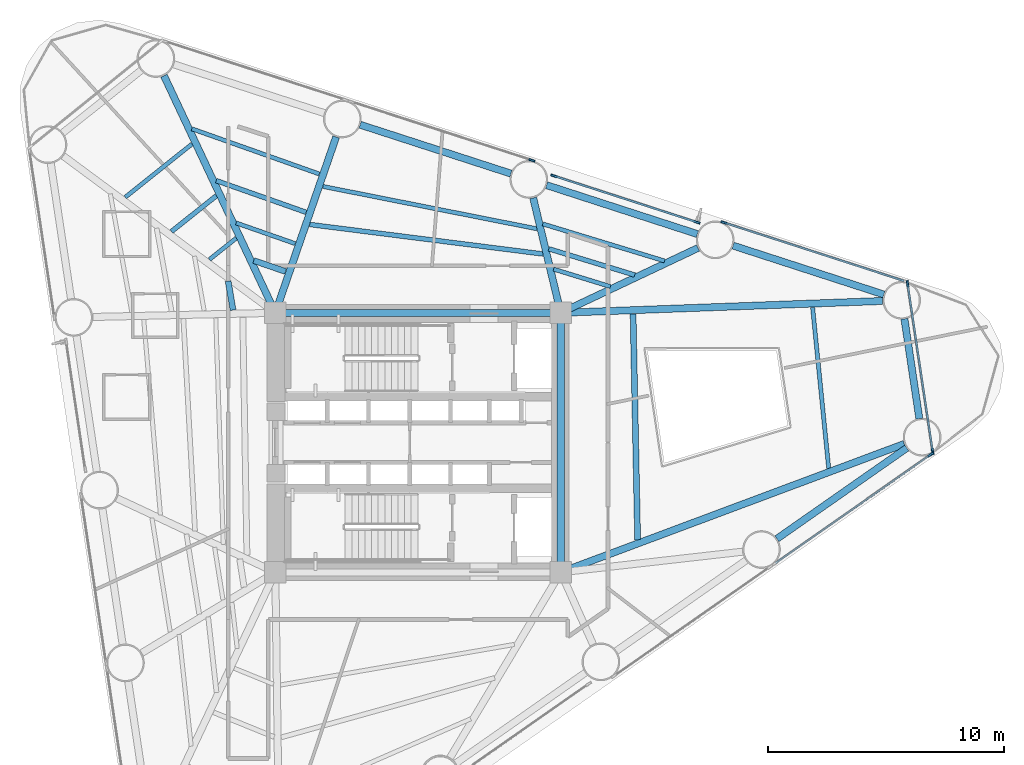
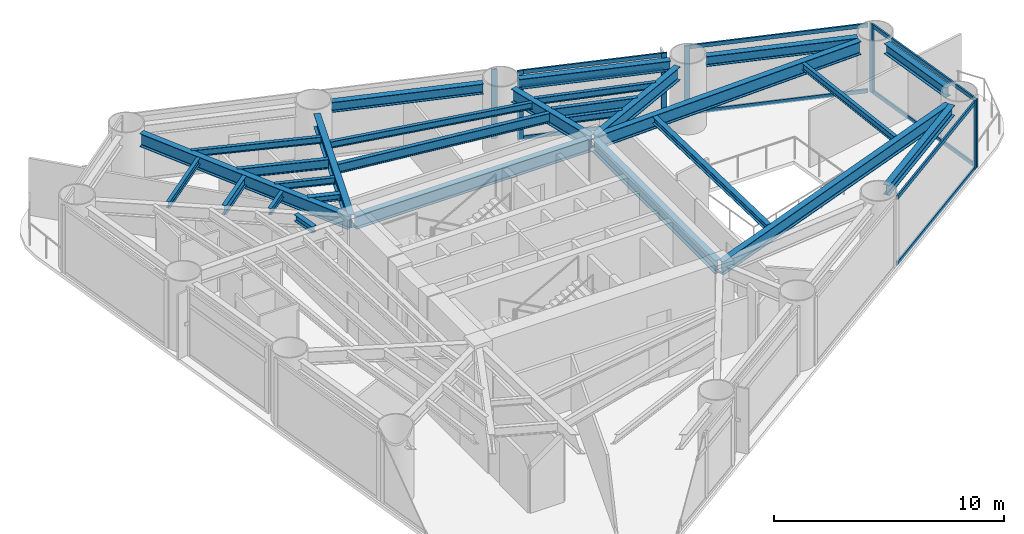
# One storey, part 3 of 9: 28 beams, 16 members, 5 elements without a shape of their own.
"""IFC4 building model written with IfcOpenShell, lengths in metres."""

from ifc_helpers import new_model, si_unit, direction, frame, origin, origin_2d, place, context, subcontext, project, spatial, rectangle, i_section, extrude, source, transform, mapped, material, layer, layer_set, material_profile, profile_set, type_object, element, aggregate, save


model = new_model("IFC4")

# Units and contexts
model_context = context("Model", 3, precision=1e-05, world=origin(), true_north=direction((0.0, 1.0)))
body_context = subcontext(model_context, "Body", "Model", "MODEL_VIEW")
ifc_project = project(units=[si_unit("LENGTHUNIT", "METRE"), si_unit("AREAUNIT", "SQUARE_METRE"), si_unit("VOLUMEUNIT", "CUBIC_METRE"), si_unit("PLANEANGLEUNIT", "RADIAN"), si_unit("MASSUNIT", "GRAM", prefix="KILO")], contexts=[model_context])

# Site, building, storey
site_placement = place(None, origin())
site = spatial("IfcSite", under=ifc_project, at=site_placement, CompositionType="ELEMENT")
building_placement = place(site_placement, origin())
building = spatial("IfcBuilding", under=site, at=building_placement, Name="Yunling Apex Tower", CompositionType="ELEMENT")
storey_placement = place(building_placement, frame((0.0, 0.0, 58.550048828125)))
storey = spatial("IfcBuildingStorey", under=building, at=storey_placement, Name="L15", CompositionType="ELEMENT", Elevation=58.550048828125)

# Beams
ifc_material_1 = material(Name="Steel Q355B", Category="steel")
ifc_material_profile_1 = material_profile(ifc_material_1, i_section(OverallWidth=0.300048828125, OverallDepth=0.699951171875, WebThickness=0.012939453125, FlangeThickness=0.02392578125, FilletRadius=0.02587890625, at=origin_2d()))
ifc_profile_set_1 = profile_set([ifc_material_profile_1], Name="Steel Q355B")
beam_type_1 = type_object("IfcBeamType", Name="BG-PRI-3", PredefinedType="USERDEFINED", material=ifc_profile_set_1)
shared_shape_1 = source(origin(), body_context, "Body", "SweptSolid", [
    extrude(i_section(OverallWidth=0.300048828125, OverallDepth=0.699951171875, WebThickness=0.012939453125, FlangeThickness=0.02392578125, FilletRadius=0.02587890625, at=origin_2d()), origin(), (0.0, 0.0, 1.0), 11.7998046875),
])
beam_1_placement = place(storey_placement, frame((5.89990234375, 5.5, 3.21484375), z_axis=(-1.0, 0.0, 0.0), x_axis=(0.0, -1.0, 0.0)))
element("IfcBeam", 1, at=beam_1_placement, inside=storey, type_object=beam_type_1, Name="L15 Core Ring Tie Beam 3", ObjectType="GIRDER", PredefinedType="USERDEFINED", context=body_context, shape_type="MappedRepresentation", body=[
    mapped(shared_shape_1, transform((0.0, 0.0, 0.0), scale=1.0)),
])
shared_shape_2 = source(origin(), body_context, "Body", "SweptSolid", [
    extrude(i_section(OverallWidth=0.300048828125, OverallDepth=0.699951171875, WebThickness=0.012939453125, FlangeThickness=0.02392578125, FilletRadius=0.02587890625, at=origin_2d()), origin(), (0.0, 0.0, 1.0), 10.7001953125),
])
beam_2_placement = place(storey_placement, frame((6.050048828125, -5.35009765625, 3.21484375), z_axis=(0.0, 1.0, 0.0), x_axis=(-1.0, 0.0, 0.0)))
element("IfcBeam", 2, at=beam_2_placement, inside=storey, type_object=beam_type_1, Name="L15 Core Ring Tie Beam 2", ObjectType="GIRDER", PredefinedType="USERDEFINED", context=body_context, shape_type="MappedRepresentation", body=[
    mapped(shared_shape_2, transform((0.0, 0.0, 0.0), scale=1.0)),
])
ifc_material_profile_2 = material_profile(ifc_material_1, i_section(OverallWidth=0.300048828125, OverallDepth=0.5400390625, WebThickness=0.011962890625, FlangeThickness=0.02001953125, FilletRadius=0.02392578125, at=origin_2d()))
ifc_profile_set_2 = profile_set([ifc_material_profile_2], Name="Steel Q355B")
beam_type_2 = type_object("IfcBeamType", Name="BP-SPN-1", PredefinedType="SPANDREL", material=ifc_profile_set_2)
shared_shape_3 = source(origin(), body_context, "Body", "SweptSolid", [
    extrude(i_section(OverallWidth=0.300048828125, OverallDepth=0.5400390625, WebThickness=0.011962890625, FlangeThickness=0.02001953125, FilletRadius=0.02392578125, at=origin_2d()), origin(), (0.0, 0.0, 1.0), 6.721435546875),
])
for number, where, z_axis, x_axis, name in (
    (3, (15.212158203125, -4.08056640625, 3.294921875), (0.81955772083, 0.572996633697, 0.0), (-0.572996633697, 0.81955772083, 0.0), "L15 Perimeter Spandrel Beam 4"),
    (4, (19.748291015625, 6.277099609375, 3.294921875), (-0.95126256707, 0.308382114415, 0.0), (-0.308382114415, -0.95126256707, 0.0), "L15 Perimeter Spandrel Beam 6"),
    (5, (3.939453125, 11.401611328125, 3.294921875), (-0.95126256707, 0.308382114415, 0.0), (-0.308382114415, -0.95126256707, 0.0), "L15 Perimeter Spandrel Beam 8"),
):
    element("IfcBeam", number, at=place(storey_placement, frame(where, z_axis=z_axis, x_axis=x_axis)), inside=storey, type_object=beam_type_2, Name=name, PredefinedType="SPANDREL", context=body_context, shape_type="MappedRepresentation", body=[
        mapped(shared_shape_3, transform((0.0, 0.0, 0.0), scale=1.0)),
    ])
shared_shape_4 = source(origin(), body_context, "Body", "SweptSolid", [
    extrude(i_section(OverallWidth=0.300048828125, OverallDepth=0.5400390625, WebThickness=0.011962890625, FlangeThickness=0.02001953125, FilletRadius=0.02392578125, at=origin_2d()), origin(), (0.0, 0.0, 1.0), 4.283203125),
])
beam_3_placement = place(storey_placement, frame((21.25390625, 1.010986328125, 3.294921875), z_axis=(-0.147802479388, 0.989016899293, 0.0), x_axis=(-0.989016899293, -0.147802479388, 0.0)))
element("IfcBeam", 6, at=beam_3_placement, inside=storey, type_object=beam_type_2, Name="L15 Perimeter Spandrel Beam 5", PredefinedType="SPANDREL", context=body_context, shape_type="MappedRepresentation", body=[
    mapped(shared_shape_4, transform((0.0, 0.0, 0.0), scale=1.0)),
])
shared_shape_5 = source(origin(), body_context, "Body", "SweptSolid", [
    extrude(i_section(OverallWidth=0.300048828125, OverallDepth=0.5400390625, WebThickness=0.011962890625, FlangeThickness=0.02001953125, FilletRadius=0.02392578125, at=origin_2d()), origin(), (0.0, 0.0, 1.0), 6.72119140625),
])
beam_4_placement = place(storey_placement, frame((11.84375, 8.83935546875, 3.294921875), z_axis=(-0.951259112593, 0.308392770197, 0.0), x_axis=(-0.308392770197, -0.951259112593, 0.0)))
element("IfcBeam", 7, at=beam_4_placement, inside=storey, type_object=beam_type_2, Name="L15 Perimeter Spandrel Beam 7", PredefinedType="SPANDREL", context=body_context, shape_type="MappedRepresentation", body=[
    mapped(shared_shape_5, transform((0.0, 0.0, 0.0), scale=1.0)),
])
shared_shape_6 = source(origin(), body_context, "Body", "SweptSolid", [
    extrude(i_section(OverallWidth=0.300048828125, OverallDepth=0.699951171875, WebThickness=0.012939453125, FlangeThickness=0.02392578125, FilletRadius=0.02587890625, at=origin_2d()), origin(), (0.0, 0.0, 1.0), 15.46826171875),
])
beam_5_placement = place(storey_placement, frame((20.614501953125, -0.05712890625, 3.21484375), z_axis=(-0.936727481876, -0.350059458804, 0.0), x_axis=(0.350059458804, -0.936727481876, 0.0)))
element("IfcBeam", 8, at=beam_5_placement, inside=storey, type_object=beam_type_1, Name="L15 Radial Primary Girder R05", ObjectType="GIRDER", PredefinedType="USERDEFINED", context=body_context, shape_type="MappedRepresentation", body=[
    mapped(shared_shape_6, transform((0.0, 0.0, 0.0), scale=1.0)),
])
shared_shape_7 = source(origin(), body_context, "Body", "SweptSolid", [
    extrude(i_section(OverallWidth=0.300048828125, OverallDepth=0.699951171875, WebThickness=0.012939453125, FlangeThickness=0.02392578125, FilletRadius=0.02587890625, at=origin_2d()), origin(), (0.0, 0.0, 1.0), 13.575439453125),
])
beam_6_placement = place(storey_placement, frame((19.696044921875, 6.002685546875, 3.21484375), z_axis=(-0.99932215556, -0.036813440575, 0.0), x_axis=(0.036813440575, -0.99932215556, 0.0)))
element("IfcBeam", 9, at=beam_6_placement, inside=storey, type_object=beam_type_1, Name="L15 Radial Primary Girder R06", ObjectType="GIRDER", PredefinedType="USERDEFINED", context=body_context, shape_type="MappedRepresentation", body=[
    mapped(shared_shape_7, transform((0.0, 0.0, 0.0), scale=1.0)),
])
shared_shape_8 = source(origin(), body_context, "Body", "SweptSolid", [
    extrude(i_section(OverallWidth=0.300048828125, OverallDepth=0.699951171875, WebThickness=0.012939453125, FlangeThickness=0.02392578125, FilletRadius=0.02587890625, at=origin_2d()), origin(), (0.0, 0.0, 1.0), 6.35546875),
])
beam_7_placement = place(storey_placement, frame((11.86865234375, 8.24951171875, 3.21484375), z_axis=(-0.90414025985, -0.427235755196, 0.0), x_axis=(0.427235755196, -0.90414025985, 0.0)))
element("IfcBeam", 10, at=beam_7_placement, inside=storey, type_object=beam_type_1, Name="L15 Radial Primary Girder R07", ObjectType="GIRDER", PredefinedType="USERDEFINED", context=body_context, shape_type="MappedRepresentation", body=[
    mapped(shared_shape_8, transform((0.0, 0.0, 0.0), scale=1.0)),
])
shared_shape_9 = source(origin(), body_context, "Body", "SweptSolid", [
    extrude(i_section(OverallWidth=0.300048828125, OverallDepth=0.699951171875, WebThickness=0.012939453125, FlangeThickness=0.02392578125, FilletRadius=0.02587890625, at=origin_2d()), origin(), (0.0, 0.0, 1.0), 4.928955078125),
])
beam_8_placement = place(storey_placement, frame((4.883056640625, 10.37109375, 3.21484375), z_axis=(0.233002001977, -0.972476255276, 0.0), x_axis=(0.972476255276, 0.233002001977, 0.0)))
element("IfcBeam", 11, at=beam_8_placement, inside=storey, type_object=beam_type_1, Name="L15 Radial Primary Girder R08", ObjectType="GIRDER", PredefinedType="USERDEFINED", context=body_context, shape_type="MappedRepresentation", body=[
    mapped(shared_shape_9, transform((0.0, 0.0, 0.0), scale=1.0)),
])
shared_shape_10 = source(origin(), body_context, "Body", "SweptSolid", [
    extrude(i_section(OverallWidth=0.300048828125, OverallDepth=0.699951171875, WebThickness=0.012939453125, FlangeThickness=0.02392578125, FilletRadius=0.02587890625, at=origin_2d()), origin(), (0.0, 0.0, 1.0), 7.807861328125),
])
beam_9_placement = place(storey_placement, frame((-3.473388671875, 12.955322265625, 3.21484375), z_axis=(-0.326658398033, -0.945142471268, 0.0), x_axis=(0.945142471268, -0.326658398033, 0.0)))
element("IfcBeam", 12, at=beam_9_placement, inside=storey, type_object=beam_type_1, Name="L15 Radial Primary Girder R09", ObjectType="GIRDER", PredefinedType="USERDEFINED", context=body_context, shape_type="MappedRepresentation", body=[
    mapped(shared_shape_10, transform((0.0, 0.0, 0.0), scale=1.0)),
])
shared_shape_11 = source(origin(), body_context, "Body", "SweptSolid", [
    extrude(i_section(OverallWidth=0.300048828125, OverallDepth=0.699951171875, WebThickness=0.012939453125, FlangeThickness=0.02392578125, FilletRadius=0.02587890625, at=origin_2d()), origin(), (0.0, 0.0, 1.0), 11.0234375),
])
beam_10_placement = place(storey_placement, frame((-10.7705078125, 15.550048828125, 3.21484375), z_axis=(0.425144169149, -0.905125646216, 0.0), x_axis=(0.905125646216, 0.425144169149, 0.0)))
element("IfcBeam", 13, at=beam_10_placement, inside=storey, type_object=beam_type_1, Name="L15 Radial Primary Girder R10", ObjectType="GIRDER", PredefinedType="USERDEFINED", context=body_context, shape_type="MappedRepresentation", body=[
    mapped(shared_shape_11, transform((0.0, 0.0, 0.0), scale=1.0)),
])
ifc_material_profile_3 = material_profile(ifc_material_1, i_section(OverallWidth=0.175048828125, OverallDepth=0.35009765625, WebThickness=0.007080078125, FlangeThickness=0.010986328125, FilletRadius=0.013916015625, at=origin_2d()))
ifc_profile_set_3 = profile_set([ifc_material_profile_3], Name="Steel Q355B")
beam_type_3 = type_object("IfcBeamType", Name="BJ-JST-1", PredefinedType="JOIST", material=ifc_profile_set_3)
shared_shape_12 = source(origin(), body_context, "Body", "SweptSolid", [
    extrude(i_section(OverallWidth=0.175048828125, OverallDepth=0.35009765625, WebThickness=0.007080078125, FlangeThickness=0.010986328125, FilletRadius=0.013916015625, at=origin_2d()), origin(), (0.0, 0.0, 1.0), 6.856689453125),
])
beam_11_placement = place(storey_placement, frame((17.410888671875, -1.089111328125, 3.389892578125), z_axis=(-0.099697612772, 0.995017781754, 0.0), x_axis=(-0.995017781754, -0.099697612772, 0.0)))
element("IfcBeam", 14, at=beam_11_placement, inside=storey, type_object=beam_type_3, Name="L15 Composite Floor Joist BJ1-5", PredefinedType="JOIST", context=body_context, shape_type="MappedRepresentation", body=[
    mapped(shared_shape_12, transform((0.0, 0.0, 0.0), scale=1.0)),
])
ifc_material_profile_4 = material_profile(ifc_material_1, i_section(OverallWidth=0.25, OverallDepth=0.340087890625, WebThickness=0.009033203125, FlangeThickness=0.013916015625, FilletRadius=0.01806640625, at=origin_2d()))
ifc_profile_set_4 = profile_set([ifc_material_profile_4], Name="Steel Q355B")
beam_type_4 = type_object("IfcBeamType", Name="BJ-JST-2", PredefinedType="JOIST", material=ifc_profile_set_4)
shared_shape_13 = source(origin(), body_context, "Body", "SweptSolid", [
    extrude(i_section(OverallWidth=0.25, OverallDepth=0.340087890625, WebThickness=0.009033203125, FlangeThickness=0.013916015625, FilletRadius=0.01806640625, at=origin_2d()), origin(), (0.0, 0.0, 1.0), 9.57568359375),
])
beam_12_placement = place(storey_placement, frame((9.309326171875, -4.120849609375, 3.39501953125), z_axis=(-0.020014350968, 0.999799692816, 0.0), x_axis=(-0.999799692816, -0.020014350968, 0.0)))
element("IfcBeam", 15, at=beam_12_placement, inside=storey, type_object=beam_type_4, Name="L15 Composite Floor Joist BJ2-5", PredefinedType="JOIST", context=body_context, shape_type="MappedRepresentation", body=[
    mapped(shared_shape_13, transform((0.0, 0.0, 0.0), scale=1.0)),
])
ifc_material_profile_5 = material_profile(ifc_material_1, i_section(OverallWidth=0.199951171875, OverallDepth=0.5, WebThickness=0.010009765625, FlangeThickness=0.01611328125, FilletRadius=0.02001953125, at=origin_2d()))
ifc_profile_set_5 = profile_set([ifc_material_profile_5], Name="Steel Q355B")
beam_type_5 = type_object("IfcBeamType", Name="BS-SEC-2", PredefinedType="BEAM", material=ifc_profile_set_5)
shared_shape_14 = source(origin(), body_context, "Body", "SweptSolid", [
    extrude(i_section(OverallWidth=0.199951171875, OverallDepth=0.5, WebThickness=0.010009765625, FlangeThickness=0.01611328125, FilletRadius=0.02001953125, at=origin_2d()), origin(), (0.0, 0.0, 1.0), 3.812255859375),
])
beam_13_placement = place(storey_placement, frame((9.187255859375, 7.1015625, 3.31494140625), z_axis=(-0.956390339833, 0.292091625819, 0.0), x_axis=(-0.292091625819, -0.956390339833, 0.0)))
element("IfcBeam", 16, at=beam_13_placement, inside=storey, type_object=beam_type_5, Name="L15 Composite Floor Beam BS-7", PredefinedType="BEAM", context=body_context, shape_type="MappedRepresentation", body=[
    mapped(shared_shape_14, transform((0.0, 0.0, 0.0), scale=1.0)),
])
shared_shape_15 = source(origin(), body_context, "Body", "SweptSolid", [
    extrude(i_section(OverallWidth=0.175048828125, OverallDepth=0.35009765625, WebThickness=0.007080078125, FlangeThickness=0.010986328125, FilletRadius=0.013916015625, at=origin_2d()), origin(), (0.0, 0.0, 1.0), 5.396484375),
])
beam_14_placement = place(storey_placement, frame((10.451416015625, 7.698486328125, 3.389892578125), z_axis=(-0.95665799, 0.291213822077, 0.0), x_axis=(-0.291213822077, -0.95665799, 0.0)))
element("IfcBeam", 17, at=beam_14_placement, inside=storey, type_object=beam_type_3, Name="L15 Composite Floor Joist BJ1-7", PredefinedType="JOIST", context=body_context, shape_type="MappedRepresentation", body=[
    mapped(shared_shape_15, transform((0.0, 0.0, 0.0), scale=1.0)),
])
shared_shape_16 = source(origin(), body_context, "Body", "SweptSolid", [
    extrude(i_section(OverallWidth=0.175048828125, OverallDepth=0.35009765625, WebThickness=0.007080078125, FlangeThickness=0.010986328125, FilletRadius=0.013916015625, at=origin_2d()), origin(), (0.0, 0.0, 1.0), 2.516357421875),
])
beam_15_placement = place(storey_placement, frame((8.153076171875, 6.613037109375, 3.389892578125), z_axis=(-0.955871264671, 0.293785849515, 0.0), x_axis=(-0.293785849515, -0.955871264671, 0.0)))
element("IfcBeam", 18, at=beam_15_placement, inside=storey, type_object=beam_type_3, Name="L15 Composite Floor Joist BJ3-7", PredefinedType="JOIST", context=body_context, shape_type="MappedRepresentation", body=[
    mapped(shared_shape_16, transform((0.0, 0.0, 0.0), scale=1.0)),
])
shared_shape_17 = source(origin(), body_context, "Body", "SweptSolid", [
    extrude(i_section(OverallWidth=0.199951171875, OverallDepth=0.5, WebThickness=0.010009765625, FlangeThickness=0.01611328125, FilletRadius=0.02001953125, at=origin_2d()), origin(), (0.0, 0.0, 1.0), 9.967529296875),
])
beam_16_placement = place(storey_placement, frame((5.298583984375, 7.994384765625, 3.31494140625), z_axis=(-0.992092895005, 0.125505727681, 0.0), x_axis=(-0.125505727681, -0.992092895005, 0.0)))
element("IfcBeam", 19, at=beam_16_placement, inside=storey, type_object=beam_type_5, Name="L15 Composite Floor Beam BS-8", PredefinedType="BEAM", context=body_context, shape_type="MappedRepresentation", body=[
    mapped(shared_shape_17, transform((0.0, 0.0, 0.0), scale=1.0)),
])
shared_shape_18 = source(origin(), body_context, "Body", "SweptSolid", [
    extrude(i_section(OverallWidth=0.175048828125, OverallDepth=0.35009765625, WebThickness=0.007080078125, FlangeThickness=0.010986328125, FilletRadius=0.013916015625, at=origin_2d()), origin(), (0.0, 0.0, 1.0), 9.254638671875),
])
beam_17_placement = place(storey_placement, frame((5.047607421875, 9.06005859375, 3.389892578125), z_axis=(-0.98094926536, 0.194264095472, 0.0), x_axis=(-0.194264095472, -0.98094926536, 0.0)))
element("IfcBeam", 20, at=beam_17_placement, inside=storey, type_object=beam_type_3, Name="L15 Composite Floor Joist BJ1-8", PredefinedType="JOIST", context=body_context, shape_type="MappedRepresentation", body=[
    mapped(shared_shape_18, transform((0.0, 0.0, 0.0), scale=1.0)),
])
shared_shape_19 = source(origin(), body_context, "Body", "SweptSolid", [
    extrude(i_section(OverallWidth=0.199951171875, OverallDepth=0.5, WebThickness=0.010009765625, FlangeThickness=0.01611328125, FilletRadius=0.02001953125, at=origin_2d()), origin(), (0.0, 0.0, 1.0), 4.04150390625),
])
beam_18_placement = place(storey_placement, frame((-4.74658203125, 9.761474609375, 3.31494140625), z_axis=(-0.942979180686, 0.332851715924, 0.0), x_axis=(-0.332851715924, -0.942979180686, 0.0)))
element("IfcBeam", 21, at=beam_18_placement, inside=storey, type_object=beam_type_5, Name="L15 Composite Floor Beam BS-9", PredefinedType="BEAM", context=body_context, shape_type="MappedRepresentation", body=[
    mapped(shared_shape_19, transform((0.0, 0.0, 0.0), scale=1.0)),
])
shared_shape_20 = source(origin(), body_context, "Body", "SweptSolid", [
    extrude(i_section(OverallWidth=0.175048828125, OverallDepth=0.35009765625, WebThickness=0.007080078125, FlangeThickness=0.010986328125, FilletRadius=0.013916015625, at=origin_2d()), origin(), (0.0, 0.0, 1.0), 5.733154296875),
])
beam_19_placement = place(storey_placement, frame((-4.185302734375, 11.38525390625, 3.389892578125), z_axis=(-0.942485311423, 0.334247569553, 0.0), x_axis=(-0.334247569553, -0.942485311423, 0.0)))
element("IfcBeam", 22, at=beam_19_placement, inside=storey, type_object=beam_type_3, Name="L15 Composite Floor Joist BJ1-9", PredefinedType="JOIST", context=body_context, shape_type="MappedRepresentation", body=[
    mapped(shared_shape_20, transform((0.0, 0.0, 0.0), scale=1.0)),
])
shared_shape_21 = source(origin(), body_context, "Body", "SweptSolid", [
    extrude(i_section(OverallWidth=0.175048828125, OverallDepth=0.35009765625, WebThickness=0.007080078125, FlangeThickness=0.010986328125, FilletRadius=0.013916015625, at=origin_2d()), origin(), (0.0, 0.0, 1.0), 2.657470703125),
])
beam_20_placement = place(storey_placement, frame((-5.205810546875, 8.432861328125, 3.389892578125), z_axis=(-0.943816811427, 0.330469100623, 0.0), x_axis=(-0.330469100623, -0.943816811427, 0.0)))
element("IfcBeam", 23, at=beam_20_placement, inside=storey, type_object=beam_type_3, Name="L15 Composite Floor Joist BJ3-9", PredefinedType="JOIST", context=body_context, shape_type="MappedRepresentation", body=[
    mapped(shared_shape_21, transform((0.0, 0.0, 0.0), scale=1.0)),
])
shared_shape_22 = source(origin(), body_context, "Body", "SweptSolid", [
    extrude(i_section(OverallWidth=0.25, OverallDepth=0.340087890625, WebThickness=0.009033203125, FlangeThickness=0.013916015625, FilletRadius=0.01806640625, at=origin_2d()), origin(), (0.0, 0.0, 1.0), 1.42724609375),
])
beam_21_placement = place(storey_placement, frame((-5.614013671875, 7.251220703125, 3.39501953125), z_axis=(-0.94564715029, 0.325194506639, 0.0), x_axis=(-0.325194506639, -0.94564715029, 0.0)))
element("IfcBeam", 24, at=beam_21_placement, inside=storey, type_object=beam_type_4, Name="L15 Composite Floor Joist BJ2-9", PredefinedType="JOIST", context=body_context, shape_type="MappedRepresentation", body=[
    mapped(shared_shape_22, transform((0.0, 0.0, 0.0), scale=1.0)),
])
shared_shape_23 = source(origin(), body_context, "Body", "SweptSolid", [
    extrude(i_section(OverallWidth=0.199951171875, OverallDepth=0.5, WebThickness=0.010009765625, FlangeThickness=0.01611328125, FilletRadius=0.02001953125, at=origin_2d()), origin(), (0.0, 0.0, 1.0), 2.4287109375),
])
beam_22_placement = place(storey_placement, frame((-8.552490234375, 10.46142578125, 3.31494140625), z_axis=(-0.782093234133, -0.62316143424, 0.0), x_axis=(0.62316143424, -0.782093234133, 0.0)))
element("IfcBeam", 25, at=beam_22_placement, inside=storey, type_object=beam_type_5, Name="L15 Composite Floor Beam BS-10", PredefinedType="BEAM", context=body_context, shape_type="MappedRepresentation", body=[
    mapped(shared_shape_23, transform((0.0, 0.0, 0.0), scale=1.0)),
])
shared_shape_24 = source(origin(), body_context, "Body", "SweptSolid", [
    extrude(i_section(OverallWidth=0.175048828125, OverallDepth=0.35009765625, WebThickness=0.007080078125, FlangeThickness=0.010986328125, FilletRadius=0.013916015625, at=origin_2d()), origin(), (0.0, 0.0, 1.0), 3.62060546875),
])
beam_23_placement = place(storey_placement, frame((-9.58349609375, 12.656494140625, 3.389892578125), z_axis=(-0.782123735438, -0.623123151925, 0.0), x_axis=(0.623123151925, -0.782123735438, 0.0)))
element("IfcBeam", 26, at=beam_23_placement, inside=storey, type_object=beam_type_3, Name="L15 Composite Floor Joist BJ1-10", PredefinedType="JOIST", context=body_context, shape_type="MappedRepresentation", body=[
    mapped(shared_shape_24, transform((0.0, 0.0, 0.0), scale=1.0)),
])
shared_shape_25 = source(origin(), body_context, "Body", "SweptSolid", [
    extrude(i_section(OverallWidth=0.175048828125, OverallDepth=0.35009765625, WebThickness=0.007080078125, FlangeThickness=0.010986328125, FilletRadius=0.013916015625, at=origin_2d()), origin(), (0.0, 0.0, 1.0), 1.453369140625),
])
beam_24_placement = place(storey_placement, frame((-7.708740234375, 8.66552734375, 3.389892578125), z_axis=(-0.78201477261, -0.62325989396, 0.0), x_axis=(0.62325989396, -0.78201477261, 0.0)))
element("IfcBeam", 27, at=beam_24_placement, inside=storey, type_object=beam_type_3, Name="L15 Composite Floor Joist BJ3-10", PredefinedType="JOIST", context=body_context, shape_type="MappedRepresentation", body=[
    mapped(shared_shape_25, transform((0.0, 0.0, 0.0), scale=1.0)),
])
shared_shape_26 = source(origin(), body_context, "Body", "SweptSolid", [
    extrude(i_section(OverallWidth=0.25, OverallDepth=0.340087890625, WebThickness=0.009033203125, FlangeThickness=0.013916015625, FilletRadius=0.01806640625, at=origin_2d()), origin(), (0.0, 0.0, 1.0), 1.242431640625),
])
beam_25_placement = place(storey_placement, frame((-8.05078125, 6.84228515625, 3.39501953125), z_axis=(0.168412893697, -0.985716540004, 0.0), x_axis=(0.985716540004, 0.168412893697, 0.0)))
element("IfcBeam", 28, at=beam_25_placement, inside=storey, type_object=beam_type_4, Name="L15 Composite Floor Joist BJ2-11", PredefinedType="JOIST", context=body_context, shape_type="MappedRepresentation", body=[
    mapped(shared_shape_26, transform((0.0, 0.0, 0.0), scale=1.0)),
])

# Curtain wall, member
ifc_material_2 = material(Name="Bronze anodised aluminium", Category="aluminium")
ifc_layer = layer(ifc_material_2, 0.260009765625)
ifc_layer_set = layer_set([ifc_layer], Name="Bronze anodised aluminium")
curtain_wall_type = type_object("IfcCurtainWallType", Name="CW-SYS-2", PredefinedType="NOTDEFINED", material=ifc_layer_set)
curtain_wall_1_placement = place(storey_placement, origin())
curtain_wall_1 = element("IfcCurtainWall", 29, at=curtain_wall_1_placement, inside=storey, type_object=curtain_wall_type, Name="CW-L15-F1-B4", PredefinedType="NOTDEFINED")
ifc_material_profile_6 = material_profile(ifc_material_2, rectangle(XDim=0.0849609375, YDim=0.260009765625, at=origin_2d()))
ifc_profile_set_6 = profile_set([ifc_material_profile_6], Name="Bronze anodised aluminium")
member_type_1 = type_object("IfcMemberType", Name="CW-MUL-2", PredefinedType="MULLION", material=ifc_profile_set_6)
shared_shape_27 = source(origin(), body_context, "Body", "SweptSolid", [
    extrude(rectangle(XDim=0.0849609375, YDim=0.260009765625, at=origin_2d()), origin(), (0.0, 0.0, 1.0), 3.6650390625),
])
member_1_placement = place(storey_placement, frame((21.735107421875, -0.50830078125, -0.050048828125), z_axis=(0.0, 0.0, 1.0), x_axis=(-0.573004358875, 0.819552319691, 0.0)))
member_1 = element("IfcMember", 30, at=member_1_placement, type_object=member_type_1, Name="CW-SYS-2 mullion 2", PredefinedType="MULLION", context=body_context, shape_type="MappedRepresentation", body=[
    mapped(shared_shape_27, transform((0.0, 0.0, 0.0), scale=1.0)),
])

# Curtain wall, members
curtain_wall_2_placement = place(storey_placement, origin())
curtain_wall_2 = element("IfcCurtainWall", 31, at=curtain_wall_2_placement, inside=storey, type_object=curtain_wall_type, Name="CW-L15-CRN1", PredefinedType="NOTDEFINED")
member_2_placement = place(storey_placement, frame((21.817626953125, -0.379638671875, -0.050048828125), z_axis=(0.0, 0.0, 1.0), x_axis=(-0.989017551472, -0.147798115278, 0.0)))
member_2 = element("IfcMember", 32, at=member_2_placement, type_object=member_type_1, Name="CW-SYS-2 mullion 1", PredefinedType="MULLION", context=body_context, shape_type="MappedRepresentation", body=[
    mapped(shared_shape_27, transform((0.0, 0.0, 0.0), scale=1.0)),
])
member_3_placement = place(storey_placement, frame((20.75341796875, 6.741943359375, -0.050048828125), z_axis=(0.0, 0.0, 1.0), x_axis=(-0.989017551472, -0.147798115278, 0.0)))
member_3 = element("IfcMember", 33, at=member_3_placement, type_object=member_type_1, Name="CW-SYS-2 mullion 2", PredefinedType="MULLION", context=body_context, shape_type="MappedRepresentation", body=[
    mapped(shared_shape_27, transform((0.0, 0.0, 0.0), scale=1.0)),
])

# Curtain wall, member
curtain_wall_3_placement = place(storey_placement, origin())
curtain_wall_3 = element("IfcCurtainWall", 34, at=curtain_wall_3_placement, inside=storey, type_object=curtain_wall_type, Name="CW-L15-F2-B1", PredefinedType="NOTDEFINED")
member_4_placement = place(storey_placement, frame((12.96533203125, 9.327392578125, -0.050048828125), z_axis=(0.0, 0.0, 1.0), x_axis=(-0.30835735341, -0.951270593784, 0.0)))
member_4 = element("IfcMember", 35, at=member_4_placement, type_object=member_type_1, Name="CW-SYS-2 mullion 2", PredefinedType="MULLION", context=body_context, shape_type="MappedRepresentation", body=[
    mapped(shared_shape_27, transform((0.0, 0.0, 0.0), scale=1.0)),
])

# Curtain wall, members
curtain_wall_4_placement = place(storey_placement, origin())
curtain_wall_4 = element("IfcCurtainWall", 36, at=curtain_wall_4_placement, inside=storey, type_object=curtain_wall_type, Name="CW-L15-F2-B2", PredefinedType="NOTDEFINED")
member_5_placement = place(storey_placement, frame((11.828369140625, 9.338623046875, -0.050048828125), z_axis=(0.0, 0.0, 1.0), x_axis=(-0.308351975608, -0.951272336999, 0.0)))
member_5 = element("IfcMember", 37, at=member_5_placement, type_object=member_type_1, Name="CW-SYS-2 mullion 1", PredefinedType="MULLION", context=body_context, shape_type="MappedRepresentation", body=[
    mapped(shared_shape_27, transform((0.0, 0.0, 0.0), scale=1.0)),
])
member_6_placement = place(storey_placement, frame((5.75537109375, 11.30712890625, -0.050048828125), z_axis=(0.0, 0.0, 1.0), x_axis=(-0.308351975608, -0.951272336999, 0.0)))
member_6 = element("IfcMember", 38, at=member_6_placement, type_object=member_type_1, Name="CW-SYS-2 mullion 2", PredefinedType="MULLION", context=body_context, shape_type="MappedRepresentation", body=[
    mapped(shared_shape_27, transform((0.0, 0.0, 0.0), scale=1.0)),
])

# Curtain wall, member
curtain_wall_5_placement = place(storey_placement, origin())
curtain_wall_5 = element("IfcCurtainWall", 39, at=curtain_wall_5_placement, inside=storey, type_object=curtain_wall_type, Name="CW-L15-F2-B3", PredefinedType="NOTDEFINED")
member_7_placement = place(storey_placement, frame((4.827880859375, 11.965087890625, -0.050048828125), z_axis=(0.0, 0.0, 1.0), x_axis=(-0.308368457544, -0.951266994272, 0.0)))
member_7 = element("IfcMember", 40, at=member_7_placement, type_object=member_type_1, Name="CW-SYS-2 mullion 1", PredefinedType="MULLION", context=body_context, shape_type="MappedRepresentation", body=[
    mapped(shared_shape_27, transform((0.0, 0.0, 0.0), scale=1.0)),
])
aggregate(curtain_wall_5, [member_7])

# Member
ifc_material_profile_7 = material_profile(ifc_material_2, rectangle(XDim=0.0849609375, YDim=0.199951171875, at=origin_2d()))
ifc_profile_set_7 = profile_set([ifc_material_profile_7], Name="Bronze anodised aluminium")
member_type_2 = type_object("IfcMemberType", Name="CW-TRN-2", PredefinedType="USERDEFINED", material=ifc_profile_set_7)
shared_shape_28 = source(origin(), body_context, "Body", "SweptSolid", [
    extrude(rectangle(XDim=0.0849609375, YDim=0.199951171875, at=origin_2d()), origin(), (0.0, 0.0, 1.0), 6.3076171875),
])
member_8_placement = place(storey_placement, frame((11.7919921875, 9.350341796875, 0.04248046875), z_axis=(-0.951267321757, 0.308367447306, 0.0), x_axis=(-0.308367447306, -0.951267321757, 0.0)))
member_8 = element("IfcMember", 41, at=member_8_placement, type_object=member_type_2, Name="CW-SYS-2 transom 1.1", ObjectType="TRANSOM", PredefinedType="USERDEFINED", context=body_context, shape_type="MappedRepresentation", body=[
    mapped(shared_shape_28, transform((0.0, 0.0, 0.0), scale=1.0)),
])

member_9_placement = place(storey_placement, frame((11.7919921875, 9.350341796875, 2.71484375), z_axis=(-0.951267321757, 0.308367447306, 0.0), x_axis=(-0.308367447306, -0.951267321757, 0.0)))
member_9 = element("IfcMember", 42, at=member_9_placement, type_object=member_type_2, Name="CW-SYS-2 transom 1.2", ObjectType="TRANSOM", PredefinedType="USERDEFINED", context=body_context, shape_type="MappedRepresentation", body=[
    mapped(shared_shape_28, transform((0.0, 0.0, 0.0), scale=1.0)),
])

member_10_placement = place(storey_placement, frame((11.7919921875, 9.350341796875, 3.5224609375), z_axis=(-0.951267321757, 0.308367447306, 0.0), x_axis=(-0.308367447306, -0.951267321757, 0.0)))
member_10 = element("IfcMember", 43, at=member_10_placement, type_object=member_type_2, Name="CW-SYS-2 transom 1.3", ObjectType="TRANSOM", PredefinedType="USERDEFINED", context=body_context, shape_type="MappedRepresentation", body=[
    mapped(shared_shape_28, transform((0.0, 0.0, 0.0), scale=1.0)),
])

aggregate(curtain_wall_4, [member_5, member_6, member_8, member_9, member_10])

shared_shape_29 = source(origin(), body_context, "Body", "SweptSolid", [
    extrude(rectangle(XDim=0.0849609375, YDim=0.199951171875, at=origin_2d()), origin(), (0.0, 0.0, 1.0), 7.98779296875),
])
member_11_placement = place(storey_placement, frame((15.1572265625, -5.107177734375, 0.04248046875), z_axis=(0.819559176955, 0.572994550995, 0.0), x_axis=(-0.572994550995, 0.819559176955, 0.0)))
member_11 = element("IfcMember", 44, at=member_11_placement, type_object=member_type_2, Name="CW-SYS-2 transom 1.1", ObjectType="TRANSOM", PredefinedType="USERDEFINED", context=body_context, shape_type="MappedRepresentation", body=[
    mapped(shared_shape_29, transform((0.0, 0.0, 0.0), scale=1.0)),
])

member_12_placement = place(storey_placement, frame((15.1572265625, -5.107177734375, 3.5224609375), z_axis=(0.819559176955, 0.572994550995, 0.0), x_axis=(-0.572994550995, 0.819559176955, 0.0)))
member_12 = element("IfcMember", 45, at=member_12_placement, type_object=member_type_2, Name="CW-SYS-2 transom 1.2", ObjectType="TRANSOM", PredefinedType="USERDEFINED", context=body_context, shape_type="MappedRepresentation", body=[
    mapped(shared_shape_29, transform((0.0, 0.0, 0.0), scale=1.0)),
])

aggregate(curtain_wall_1, [member_1, member_11, member_12])

member_13_placement = place(storey_placement, frame((20.600341796875, 6.8525390625, 0.04248046875), z_axis=(-0.951270077756, 0.308358945331, 0.0), x_axis=(-0.308358945331, -0.951270077756, 0.0)))
member_13 = element("IfcMember", 46, at=member_13_placement, type_object=member_type_2, Name="CW-SYS-2 transom 1.1", ObjectType="TRANSOM", PredefinedType="USERDEFINED", context=body_context, shape_type="MappedRepresentation", body=[
    mapped(shared_shape_29, transform((0.0, 0.0, 0.0), scale=1.0)),
])

member_14_placement = place(storey_placement, frame((20.600341796875, 6.8525390625, 3.5224609375), z_axis=(-0.951270077756, 0.308358945331, 0.0), x_axis=(-0.308358945331, -0.951270077756, 0.0)))
member_14 = element("IfcMember", 47, at=member_14_placement, type_object=member_type_2, Name="CW-SYS-2 transom 1.2", ObjectType="TRANSOM", PredefinedType="USERDEFINED", context=body_context, shape_type="MappedRepresentation", body=[
    mapped(shared_shape_29, transform((0.0, 0.0, 0.0), scale=1.0)),
])

aggregate(curtain_wall_3, [member_4, member_13, member_14])

shared_shape_30 = source(origin(), body_context, "Body", "SweptSolid", [
    extrude(rectangle(XDim=0.0849609375, YDim=0.199951171875, at=origin_2d()), origin(), (0.0, 0.0, 1.0), 7.1240234375),
])
member_15_placement = place(storey_placement, frame((21.81201171875, -0.341796875, 0.04248046875), z_axis=(-0.147804185278, 0.989016644357, 0.0), x_axis=(-0.989016644357, -0.147804185278, 0.0)))
member_15 = element("IfcMember", 48, at=member_15_placement, type_object=member_type_2, Name="CW-SYS-2 transom 1.1", ObjectType="TRANSOM", PredefinedType="USERDEFINED", context=body_context, shape_type="MappedRepresentation", body=[
    mapped(shared_shape_30, transform((0.0, 0.0, 0.0), scale=1.0)),
])

member_16_placement = place(storey_placement, frame((21.81201171875, -0.341796875, 3.5224609375), z_axis=(-0.147804185278, 0.989016644357, 0.0), x_axis=(-0.989016644357, -0.147804185278, 0.0)))
member_16 = element("IfcMember", 49, at=member_16_placement, type_object=member_type_2, Name="CW-SYS-2 transom 1.2", ObjectType="TRANSOM", PredefinedType="USERDEFINED", context=body_context, shape_type="MappedRepresentation", body=[
    mapped(shared_shape_30, transform((0.0, 0.0, 0.0), scale=1.0)),
])

aggregate(curtain_wall_2, [member_2, member_3, member_15, member_16])

save(model, "model.ifc")
